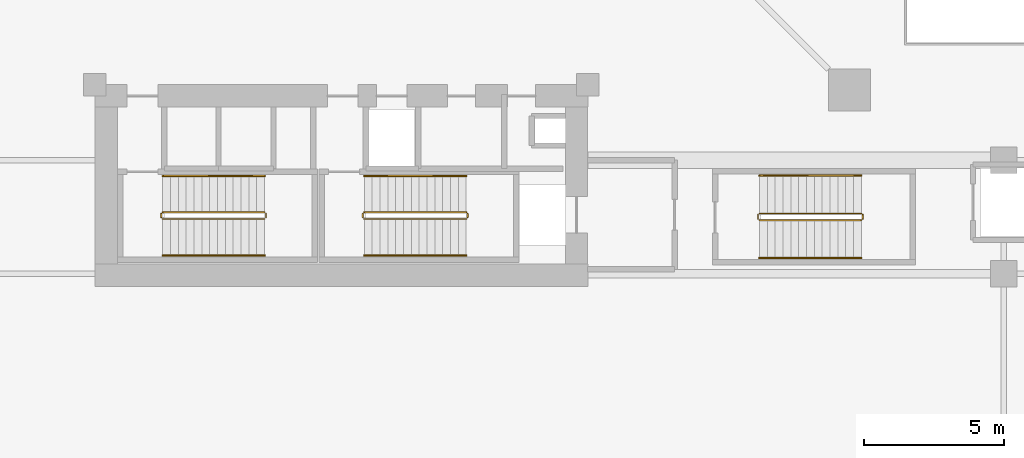
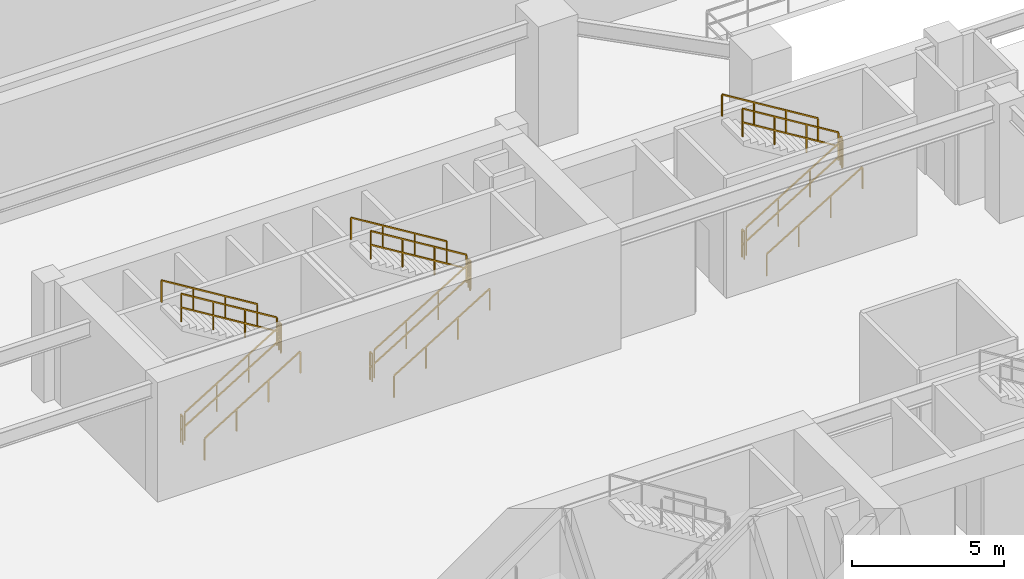
# One storey, part 9 of 10: 18 railings.
"""IFC4 building model written with IfcOpenShell, lengths in metres."""

from ifc_helpers import new_model, si_unit, direction, frame, origin, origin_2d, place, context, subcontext, project, spatial, rectangle, extrude, material, type_object, element, save


model = new_model("IFC4")

# Units and contexts
model_context = context("Model", 3, precision=1e-05, world=origin(), true_north=direction((0.0, 1.0)))
body_context = subcontext(model_context, "Body", "Model", "MODEL_VIEW")
ifc_project = project(units=[si_unit("LENGTHUNIT", "METRE"), si_unit("AREAUNIT", "SQUARE_METRE"), si_unit("VOLUMEUNIT", "CUBIC_METRE"), si_unit("PLANEANGLEUNIT", "RADIAN"), si_unit("MASSUNIT", "GRAM", prefix="KILO"), si_unit("THERMODYNAMICTEMPERATUREUNIT", "KELVIN"), si_unit("POWERUNIT", "WATT")], contexts=[model_context])

# Site, building, storey
site_placement = place(None, origin())
site = spatial("IfcSite", under=ifc_project, at=site_placement, CompositionType="ELEMENT")
building_placement = place(site_placement, origin())
building = spatial("IfcBuilding", under=site, at=building_placement, Name="Qiaomeng Ring Towers", CompositionType="ELEMENT")
storey_placement = place(building_placement, frame((0.0, 0.0, -4.800048828125)))
storey = spatial("IfcBuildingStorey", under=building, at=storey_placement, Name="B1", CompositionType="ELEMENT", Elevation=-4.800048828125)

# Railings
ifc_material_1 = material(Name="Galvanised steel", Category="steel")
railing_type_1 = type_object("IfcRailingType", Name="ARC-RL-GUARD", PredefinedType="GUARDRAIL", material=ifc_material_1)
railing_1_placement = place(storey_placement, frame((12.6201171875, 31.39990234375, 0.17138671875)))
element("IfcRailing", 1, at=railing_1_placement, inside=storey, type_object=railing_type_1, Name="B1 ST1 stair guard 1", PredefinedType="GUARDRAIL", context=body_context, shape_type="SweptSolid", body=[
    extrude(rectangle(XDim=0.048095703125, YDim=0.048095703125, at=origin_2d()), frame((0.0, 0.0, 1.1259765625), z_axis=(0.852824790078, 0.0, 0.522197163366), x_axis=(0.0, 1.0, 0.0)), (0.0, 0.0, 1.0), 4.26806640625),
    extrude(rectangle(XDim=0.048095703125, YDim=0.048095703125, at=origin_2d()), frame((0.0, 0.0, 0.574951171875), z_axis=(0.852824790078, 0.0, 0.522197163366), x_axis=(0.0, 1.0, 0.0)), (0.0, 0.0, 1.0), 4.26806640625),
    extrude(rectangle(XDim=0.0419921875, YDim=0.0419921875, at=origin_2d()), origin(), (0.0, 0.0, 1.0), 1.101806640625),
    extrude(rectangle(XDim=0.0419921875, YDim=0.0419921875, at=origin_2d()), frame((1.21337890625, 0.0, 0.742919921875)), (0.0, 0.0, 1.0), 1.101806640625),
    extrude(rectangle(XDim=0.0419921875, YDim=0.0419921875, at=origin_2d()), frame((2.426513671875, 0.0, 1.48583984375)), (0.0, 0.0, 1.0), 1.101806640625),
    extrude(rectangle(XDim=0.0419921875, YDim=0.0419921875, at=origin_2d()), frame((3.639892578125, 0.0, 2.228759765625)), (0.0, 0.0, 1.0), 1.101806640625),
])
railing_2_placement = place(storey_placement, frame((16.31005859375, 31.449951171875, 2.400146484375)))
element("IfcRailing", 2, at=railing_2_placement, inside=storey, type_object=railing_type_1, Name="B1 ST1 stair guard 2", PredefinedType="GUARDRAIL", context=body_context, shape_type="SweptSolid", body=[
    extrude(rectangle(XDim=0.048095703125, YDim=0.048095703125, at=origin_2d()), frame((0.0, 0.0, 1.1259765625), z_axis=(0.0, 1.0, 0.0), x_axis=(-1.0, 0.0, 0.0)), (0.0, 0.0, 1.0), 0.14013671875),
    extrude(rectangle(XDim=0.048095703125, YDim=0.048095703125, at=origin_2d()), frame((0.0, 0.0, 0.574951171875), z_axis=(0.0, 1.0, 0.0), x_axis=(-1.0, 0.0, 0.0)), (0.0, 0.0, 1.0), 0.14013671875),
    extrude(rectangle(XDim=0.0419921875, YDim=0.0419921875, at=origin_2d()), origin(), (0.0, 0.0, 1.0), 1.101806640625),
    extrude(rectangle(XDim=0.0419921875, YDim=0.0419921875, at=origin_2d()), frame((0.0, 0.14013671875, 0.0)), (0.0, 0.0, 1.0), 1.101806640625),
])
railing_3_placement = place(storey_placement, frame((16.260009765625, 31.639892578125, 2.571533203125)))
element("IfcRailing", 3, at=railing_3_placement, inside=storey, type_object=railing_type_1, Name="B1 ST1 stair guard 3", PredefinedType="GUARDRAIL", context=body_context, shape_type="SweptSolid", body=[
    extrude(rectangle(XDim=0.048095703125, YDim=0.048095703125, at=origin_2d()), frame((0.0, 0.0, 1.1259765625), z_axis=(-0.852850264322, 0.0, 0.5221555579), x_axis=(0.0, -1.0, 0.0)), (0.0, 0.0, 1.0), 4.267822265625),
    extrude(rectangle(XDim=0.048095703125, YDim=0.048095703125, at=origin_2d()), frame((0.0, 0.0, 0.574951171875), z_axis=(-0.852850264322, 0.0, 0.5221555579), x_axis=(0.0, -1.0, 0.0)), (0.0, 0.0, 1.0), 4.267822265625),
    extrude(rectangle(XDim=0.0419921875, YDim=0.0419921875, at=origin_2d()), origin(), (0.0, 0.0, 1.0), 1.101806640625),
    extrude(rectangle(XDim=0.0419921875, YDim=0.0419921875, at=origin_2d()), frame((-1.21337890625, 0.0, 0.742919921875)), (0.0, 0.0, 1.0), 1.101806640625),
    extrude(rectangle(XDim=0.0419921875, YDim=0.0419921875, at=origin_2d()), frame((-2.426513671875, 0.0, 1.485595703125)), (0.0, 0.0, 1.0), 1.101806640625),
    extrude(rectangle(XDim=0.0419921875, YDim=0.0419921875, at=origin_2d()), frame((-3.639892578125, 0.0, 2.228515625)), (0.0, 0.0, 1.0), 1.101806640625),
])
railing_4_placement = place(storey_placement, frame((12.570068359375, 31.449951171875, 0.0)))
element("IfcRailing", 4, at=railing_4_placement, inside=storey, type_object=railing_type_1, Name="B1 ST1 stair guard 4", PredefinedType="GUARDRAIL", context=body_context, shape_type="SweptSolid", body=[
    extrude(rectangle(XDim=0.048095703125, YDim=0.048095703125, at=origin_2d()), frame((0.0, 0.0, 1.1259765625), z_axis=(0.0, 1.0, 0.0), x_axis=(-1.0, 0.0, 0.0)), (0.0, 0.0, 1.0), 0.14013671875),
    extrude(rectangle(XDim=0.048095703125, YDim=0.048095703125, at=origin_2d()), frame((0.0, 0.0, 0.574951171875), z_axis=(0.0, 1.0, 0.0), x_axis=(-1.0, 0.0, 0.0)), (0.0, 0.0, 1.0), 0.14013671875),
    extrude(rectangle(XDim=0.0419921875, YDim=0.0419921875, at=origin_2d()), origin(), (0.0, 0.0, 1.0), 1.101806640625),
    extrude(rectangle(XDim=0.0419921875, YDim=0.0419921875, at=origin_2d()), frame((0.0, 0.14013671875, 0.0)), (0.0, 0.0, 1.0), 1.101806640625),
])
railing_5_placement = place(storey_placement, frame((19.820068359375, 31.39990234375, 0.17138671875)))
element("IfcRailing", 5, at=railing_5_placement, inside=storey, type_object=railing_type_1, Name="B1 ST2 stair guard 1", PredefinedType="GUARDRAIL", context=body_context, shape_type="SweptSolid", body=[
    extrude(rectangle(XDim=0.048095703125, YDim=0.048095703125, at=origin_2d()), frame((0.0, 0.0, 1.1259765625), z_axis=(0.852824790078, 0.0, 0.522197163366), x_axis=(0.0, 1.0, 0.0)), (0.0, 0.0, 1.0), 4.26806640625),
    extrude(rectangle(XDim=0.048095703125, YDim=0.048095703125, at=origin_2d()), frame((0.0, 0.0, 0.574951171875), z_axis=(0.852824790078, 0.0, 0.522197163366), x_axis=(0.0, 1.0, 0.0)), (0.0, 0.0, 1.0), 4.26806640625),
    extrude(rectangle(XDim=0.0419921875, YDim=0.0419921875, at=origin_2d()), origin(), (0.0, 0.0, 1.0), 1.101806640625),
    extrude(rectangle(XDim=0.0419921875, YDim=0.0419921875, at=origin_2d()), frame((1.21337890625, 0.0, 0.742919921875)), (0.0, 0.0, 1.0), 1.101806640625),
    extrude(rectangle(XDim=0.0419921875, YDim=0.0419921875, at=origin_2d()), frame((2.426513671875, 0.0, 1.48583984375)), (0.0, 0.0, 1.0), 1.101806640625),
    extrude(rectangle(XDim=0.0419921875, YDim=0.0419921875, at=origin_2d()), frame((3.639892578125, 0.0, 2.228759765625)), (0.0, 0.0, 1.0), 1.101806640625),
])
railing_6_placement = place(storey_placement, frame((23.510009765625, 31.449951171875, 2.400146484375)))
element("IfcRailing", 6, at=railing_6_placement, inside=storey, type_object=railing_type_1, Name="B1 ST2 stair guard 2", PredefinedType="GUARDRAIL", context=body_context, shape_type="SweptSolid", body=[
    extrude(rectangle(XDim=0.048095703125, YDim=0.048095703125, at=origin_2d()), frame((0.0, 0.0, 1.1259765625), z_axis=(0.0, 1.0, 0.0), x_axis=(-1.0, 0.0, 0.0)), (0.0, 0.0, 1.0), 0.14013671875),
    extrude(rectangle(XDim=0.048095703125, YDim=0.048095703125, at=origin_2d()), frame((0.0, 0.0, 0.574951171875), z_axis=(0.0, 1.0, 0.0), x_axis=(-1.0, 0.0, 0.0)), (0.0, 0.0, 1.0), 0.14013671875),
    extrude(rectangle(XDim=0.0419921875, YDim=0.0419921875, at=origin_2d()), origin(), (0.0, 0.0, 1.0), 1.101806640625),
    extrude(rectangle(XDim=0.0419921875, YDim=0.0419921875, at=origin_2d()), frame((0.0, 0.14013671875, 0.0)), (0.0, 0.0, 1.0), 1.101806640625),
])
railing_7_placement = place(storey_placement, frame((23.4599609375, 31.639892578125, 2.571533203125)))
element("IfcRailing", 7, at=railing_7_placement, inside=storey, type_object=railing_type_1, Name="B1 ST2 stair guard 3", PredefinedType="GUARDRAIL", context=body_context, shape_type="SweptSolid", body=[
    extrude(rectangle(XDim=0.048095703125, YDim=0.048095703125, at=origin_2d()), frame((0.0, 0.0, 1.1259765625), z_axis=(-0.852850264322, 0.0, 0.5221555579), x_axis=(0.0, -1.0, 0.0)), (0.0, 0.0, 1.0), 4.267822265625),
    extrude(rectangle(XDim=0.048095703125, YDim=0.048095703125, at=origin_2d()), frame((0.0, 0.0, 0.574951171875), z_axis=(-0.852850264322, 0.0, 0.5221555579), x_axis=(0.0, -1.0, 0.0)), (0.0, 0.0, 1.0), 4.267822265625),
    extrude(rectangle(XDim=0.0419921875, YDim=0.0419921875, at=origin_2d()), origin(), (0.0, 0.0, 1.0), 1.101806640625),
    extrude(rectangle(XDim=0.0419921875, YDim=0.0419921875, at=origin_2d()), frame((-1.21337890625, 0.0, 0.742919921875)), (0.0, 0.0, 1.0), 1.101806640625),
    extrude(rectangle(XDim=0.0419921875, YDim=0.0419921875, at=origin_2d()), frame((-2.426513671875, 0.0, 1.485595703125)), (0.0, 0.0, 1.0), 1.101806640625),
    extrude(rectangle(XDim=0.0419921875, YDim=0.0419921875, at=origin_2d()), frame((-3.639892578125, 0.0, 2.228515625)), (0.0, 0.0, 1.0), 1.101806640625),
])
railing_8_placement = place(storey_placement, frame((19.77001953125, 31.449951171875, 0.0)))
element("IfcRailing", 8, at=railing_8_placement, inside=storey, type_object=railing_type_1, Name="B1 ST2 stair guard 4", PredefinedType="GUARDRAIL", context=body_context, shape_type="SweptSolid", body=[
    extrude(rectangle(XDim=0.048095703125, YDim=0.048095703125, at=origin_2d()), frame((0.0, 0.0, 1.1259765625), z_axis=(0.0, 1.0, 0.0), x_axis=(-1.0, 0.0, 0.0)), (0.0, 0.0, 1.0), 0.14013671875),
    extrude(rectangle(XDim=0.048095703125, YDim=0.048095703125, at=origin_2d()), frame((0.0, 0.0, 0.574951171875), z_axis=(0.0, 1.0, 0.0), x_axis=(-1.0, 0.0, 0.0)), (0.0, 0.0, 1.0), 0.14013671875),
    extrude(rectangle(XDim=0.0419921875, YDim=0.0419921875, at=origin_2d()), origin(), (0.0, 0.0, 1.0), 1.101806640625),
    extrude(rectangle(XDim=0.0419921875, YDim=0.0419921875, at=origin_2d()), frame((0.0, 0.14013671875, 0.0)), (0.0, 0.0, 1.0), 1.101806640625),
])
railing_9_placement = place(storey_placement, frame((33.929931640625, 31.360107421875, 0.17138671875)))
element("IfcRailing", 9, at=railing_9_placement, inside=storey, type_object=railing_type_1, Name="B1 ST7 stair guard 1", PredefinedType="GUARDRAIL", context=body_context, shape_type="SweptSolid", body=[
    extrude(rectangle(XDim=0.048095703125, YDim=0.048095703125, at=origin_2d()), frame((0.0, 0.0, 1.1259765625), z_axis=(0.852840387347, 0.0, 0.522171689878), x_axis=(0.0, 1.0, 0.0)), (0.0, 0.0, 1.0), 4.268310546875),
    extrude(rectangle(XDim=0.048095703125, YDim=0.048095703125, at=origin_2d()), frame((0.0, 0.0, 0.574951171875), z_axis=(0.852840387347, 0.0, 0.522171689878), x_axis=(0.0, 1.0, 0.0)), (0.0, 0.0, 1.0), 4.268310546875),
    extrude(rectangle(XDim=0.0419921875, YDim=0.0419921875, at=origin_2d()), origin(), (0.0, 0.0, 1.0), 1.101806640625),
    extrude(rectangle(XDim=0.0419921875, YDim=0.0419921875, at=origin_2d()), frame((1.21337890625, 0.0, 0.742919921875)), (0.0, 0.0, 1.0), 1.101806640625),
    extrude(rectangle(XDim=0.0419921875, YDim=0.0419921875, at=origin_2d()), frame((2.4267578125, 0.0, 1.48583984375)), (0.0, 0.0, 1.0), 1.101806640625),
    extrude(rectangle(XDim=0.0419921875, YDim=0.0419921875, at=origin_2d()), frame((3.64013671875, 0.0, 2.228759765625)), (0.0, 0.0, 1.0), 1.101806640625),
])
railing_10_placement = place(storey_placement, frame((37.6201171875, 31.409912109375, 2.400146484375)))
element("IfcRailing", 10, at=railing_10_placement, inside=storey, type_object=railing_type_1, Name="B1 ST7 stair guard 2", PredefinedType="GUARDRAIL", context=body_context, shape_type="SweptSolid", body=[
    extrude(rectangle(XDim=0.048095703125, YDim=0.048095703125, at=origin_2d()), frame((0.0, 0.0, 1.1259765625), z_axis=(0.0, 1.0, 0.0), x_axis=(-1.0, 0.0, 0.0)), (0.0, 0.0, 1.0), 0.14013671875),
    extrude(rectangle(XDim=0.048095703125, YDim=0.048095703125, at=origin_2d()), frame((0.0, 0.0, 0.574951171875), z_axis=(0.0, 1.0, 0.0), x_axis=(-1.0, 0.0, 0.0)), (0.0, 0.0, 1.0), 0.14013671875),
    extrude(rectangle(XDim=0.0419921875, YDim=0.0419921875, at=origin_2d()), origin(), (0.0, 0.0, 1.0), 1.101806640625),
    extrude(rectangle(XDim=0.0419921875, YDim=0.0419921875, at=origin_2d()), frame((0.0, 0.14013671875, 0.0)), (0.0, 0.0, 1.0), 1.101806640625),
])
railing_11_placement = place(storey_placement, frame((37.570068359375, 31.60009765625, 2.571533203125)))
element("IfcRailing", 11, at=railing_11_placement, inside=storey, type_object=railing_type_1, Name="B1 ST7 stair guard 3", PredefinedType="GUARDRAIL", context=body_context, shape_type="SweptSolid", body=[
    extrude(rectangle(XDim=0.048095703125, YDim=0.048095703125, at=origin_2d()), frame((0.0, 0.0, 1.1259765625), z_axis=(-0.852865859571, 0.0, 0.52213008492), x_axis=(0.0, -1.0, 0.0)), (0.0, 0.0, 1.0), 4.26806640625),
    extrude(rectangle(XDim=0.048095703125, YDim=0.048095703125, at=origin_2d()), frame((0.0, 0.0, 0.574951171875), z_axis=(-0.852865859571, 0.0, 0.52213008492), x_axis=(0.0, -1.0, 0.0)), (0.0, 0.0, 1.0), 4.26806640625),
    extrude(rectangle(XDim=0.0419921875, YDim=0.0419921875, at=origin_2d()), origin(), (0.0, 0.0, 1.0), 1.101806640625),
    extrude(rectangle(XDim=0.0419921875, YDim=0.0419921875, at=origin_2d()), frame((-1.21337890625, 0.0, 0.742919921875)), (0.0, 0.0, 1.0), 1.101806640625),
    extrude(rectangle(XDim=0.0419921875, YDim=0.0419921875, at=origin_2d()), frame((-2.4267578125, 0.0, 1.485595703125)), (0.0, 0.0, 1.0), 1.101806640625),
    extrude(rectangle(XDim=0.0419921875, YDim=0.0419921875, at=origin_2d()), frame((-3.64013671875, 0.0, 2.228515625)), (0.0, 0.0, 1.0), 1.101806640625),
])
railing_12_placement = place(storey_placement, frame((33.8798828125, 31.409912109375, 0.0)))
element("IfcRailing", 12, at=railing_12_placement, inside=storey, type_object=railing_type_1, Name="B1 ST7 stair guard 4", PredefinedType="GUARDRAIL", context=body_context, shape_type="SweptSolid", body=[
    extrude(rectangle(XDim=0.048095703125, YDim=0.048095703125, at=origin_2d()), frame((0.0, 0.0, 1.1259765625), z_axis=(0.0, 1.0, 0.0), x_axis=(-1.0, 0.0, 0.0)), (0.0, 0.0, 1.0), 0.14013671875),
    extrude(rectangle(XDim=0.048095703125, YDim=0.048095703125, at=origin_2d()), frame((0.0, 0.0, 0.574951171875), z_axis=(0.0, 1.0, 0.0), x_axis=(-1.0, 0.0, 0.0)), (0.0, 0.0, 1.0), 0.14013671875),
    extrude(rectangle(XDim=0.0419921875, YDim=0.0419921875, at=origin_2d()), origin(), (0.0, 0.0, 1.0), 1.101806640625),
    extrude(rectangle(XDim=0.0419921875, YDim=0.0419921875, at=origin_2d()), frame((0.0, 0.14013671875, 0.0)), (0.0, 0.0, 1.0), 1.101806640625),
])
ifc_material_2 = material(Name="Stainless steel 316", Category="steel")
railing_type_2 = type_object("IfcRailingType", Name="ARC-RL-HAND", PredefinedType="HANDRAIL", material=ifc_material_2)
railing_13_placement = place(storey_placement, frame((12.6201171875, 30.10009765625, 0.17138671875)))
element("IfcRailing", 13, at=railing_13_placement, inside=storey, type_object=railing_type_2, Name="B1 ST1 stair handrail 1", PredefinedType="HANDRAIL", context=body_context, shape_type="SweptSolid", body=[
    extrude(rectangle(XDim=0.048095703125, YDim=0.048095703125, at=origin_2d()), frame((0.0, 0.0, 0.8759765625), z_axis=(0.852824790078, 0.0, 0.522197163366), x_axis=(0.0, 1.0, 0.0)), (0.0, 0.0, 1.0), 4.26806640625),
    extrude(rectangle(XDim=0.0419921875, YDim=0.0419921875, at=origin_2d()), origin(), (0.0, 0.0, 1.0), 0.851806640625),
    extrude(rectangle(XDim=0.0419921875, YDim=0.0419921875, at=origin_2d()), frame((1.21337890625, 0.0, 0.742919921875)), (0.0, 0.0, 1.0), 0.851806640625),
    extrude(rectangle(XDim=0.0419921875, YDim=0.0419921875, at=origin_2d()), frame((2.426513671875, 0.0, 1.48583984375)), (0.0, 0.0, 1.0), 0.851806640625),
    extrude(rectangle(XDim=0.0419921875, YDim=0.0419921875, at=origin_2d()), frame((3.639892578125, 0.0, 2.228759765625)), (0.0, 0.0, 1.0), 0.851806640625),
])
railing_14_placement = place(storey_placement, frame((16.260009765625, 32.93994140625, 2.571533203125)))
element("IfcRailing", 14, at=railing_14_placement, inside=storey, type_object=railing_type_2, Name="B1 ST1 stair handrail 2", PredefinedType="HANDRAIL", context=body_context, shape_type="SweptSolid", body=[
    extrude(rectangle(XDim=0.048095703125, YDim=0.048095703125, at=origin_2d()), frame((0.0, 0.0, 0.8759765625), z_axis=(-0.852850264322, 0.0, 0.5221555579), x_axis=(0.0, -1.0, 0.0)), (0.0, 0.0, 1.0), 4.267822265625),
    extrude(rectangle(XDim=0.0419921875, YDim=0.0419921875, at=origin_2d()), origin(), (0.0, 0.0, 1.0), 0.851806640625),
    extrude(rectangle(XDim=0.0419921875, YDim=0.0419921875, at=origin_2d()), frame((-1.21337890625, 0.0, 0.742919921875)), (0.0, 0.0, 1.0), 0.851806640625),
    extrude(rectangle(XDim=0.0419921875, YDim=0.0419921875, at=origin_2d()), frame((-2.426513671875, 0.0, 1.485595703125)), (0.0, 0.0, 1.0), 0.851806640625),
    extrude(rectangle(XDim=0.0419921875, YDim=0.0419921875, at=origin_2d()), frame((-3.639892578125, 0.0, 2.228515625)), (0.0, 0.0, 1.0), 0.851806640625),
])
railing_15_placement = place(storey_placement, frame((19.820068359375, 30.10009765625, 0.17138671875)))
element("IfcRailing", 15, at=railing_15_placement, inside=storey, type_object=railing_type_2, Name="B1 ST2 stair handrail 1", PredefinedType="HANDRAIL", context=body_context, shape_type="SweptSolid", body=[
    extrude(rectangle(XDim=0.048095703125, YDim=0.048095703125, at=origin_2d()), frame((0.0, 0.0, 0.8759765625), z_axis=(0.852824790078, 0.0, 0.522197163366), x_axis=(0.0, 1.0, 0.0)), (0.0, 0.0, 1.0), 4.26806640625),
    extrude(rectangle(XDim=0.0419921875, YDim=0.0419921875, at=origin_2d()), origin(), (0.0, 0.0, 1.0), 0.851806640625),
    extrude(rectangle(XDim=0.0419921875, YDim=0.0419921875, at=origin_2d()), frame((1.21337890625, 0.0, 0.742919921875)), (0.0, 0.0, 1.0), 0.851806640625),
    extrude(rectangle(XDim=0.0419921875, YDim=0.0419921875, at=origin_2d()), frame((2.426513671875, 0.0, 1.48583984375)), (0.0, 0.0, 1.0), 0.851806640625),
    extrude(rectangle(XDim=0.0419921875, YDim=0.0419921875, at=origin_2d()), frame((3.639892578125, 0.0, 2.228759765625)), (0.0, 0.0, 1.0), 0.851806640625),
])
railing_16_placement = place(storey_placement, frame((23.4599609375, 32.93994140625, 2.571533203125)))
element("IfcRailing", 16, at=railing_16_placement, inside=storey, type_object=railing_type_2, Name="B1 ST2 stair handrail 2", PredefinedType="HANDRAIL", context=body_context, shape_type="SweptSolid", body=[
    extrude(rectangle(XDim=0.048095703125, YDim=0.048095703125, at=origin_2d()), frame((0.0, 0.0, 0.8759765625), z_axis=(-0.852850264322, 0.0, 0.5221555579), x_axis=(0.0, -1.0, 0.0)), (0.0, 0.0, 1.0), 4.267822265625),
    extrude(rectangle(XDim=0.0419921875, YDim=0.0419921875, at=origin_2d()), origin(), (0.0, 0.0, 1.0), 0.851806640625),
    extrude(rectangle(XDim=0.0419921875, YDim=0.0419921875, at=origin_2d()), frame((-1.21337890625, 0.0, 0.742919921875)), (0.0, 0.0, 1.0), 0.851806640625),
    extrude(rectangle(XDim=0.0419921875, YDim=0.0419921875, at=origin_2d()), frame((-2.426513671875, 0.0, 1.485595703125)), (0.0, 0.0, 1.0), 0.851806640625),
    extrude(rectangle(XDim=0.0419921875, YDim=0.0419921875, at=origin_2d()), frame((-3.639892578125, 0.0, 2.228515625)), (0.0, 0.0, 1.0), 0.851806640625),
])
railing_17_placement = place(storey_placement, frame((33.929931640625, 30.010009765625, 0.17138671875)))
element("IfcRailing", 17, at=railing_17_placement, inside=storey, type_object=railing_type_2, Name="B1 ST7 stair handrail 1", PredefinedType="HANDRAIL", context=body_context, shape_type="SweptSolid", body=[
    extrude(rectangle(XDim=0.048095703125, YDim=0.048095703125, at=origin_2d()), frame((0.0, 0.0, 0.8759765625), z_axis=(0.852840387347, 0.0, 0.522171689878), x_axis=(0.0, 1.0, 0.0)), (0.0, 0.0, 1.0), 4.268310546875),
    extrude(rectangle(XDim=0.0419921875, YDim=0.0419921875, at=origin_2d()), origin(), (0.0, 0.0, 1.0), 0.851806640625),
    extrude(rectangle(XDim=0.0419921875, YDim=0.0419921875, at=origin_2d()), frame((1.21337890625, 0.0, 0.742919921875)), (0.0, 0.0, 1.0), 0.851806640625),
    extrude(rectangle(XDim=0.0419921875, YDim=0.0419921875, at=origin_2d()), frame((2.4267578125, 0.0, 1.48583984375)), (0.0, 0.0, 1.0), 0.851806640625),
    extrude(rectangle(XDim=0.0419921875, YDim=0.0419921875, at=origin_2d()), frame((3.64013671875, 0.0, 2.228759765625)), (0.0, 0.0, 1.0), 0.851806640625),
])
railing_18_placement = place(storey_placement, frame((37.570068359375, 32.949951171875, 2.571533203125)))
element("IfcRailing", 18, at=railing_18_placement, inside=storey, type_object=railing_type_2, Name="B1 ST7 stair handrail 2", PredefinedType="HANDRAIL", context=body_context, shape_type="SweptSolid", body=[
    extrude(rectangle(XDim=0.048095703125, YDim=0.048095703125, at=origin_2d()), frame((0.0, 0.0, 0.8759765625), z_axis=(-0.852865859571, 0.0, 0.52213008492), x_axis=(0.0, -1.0, 0.0)), (0.0, 0.0, 1.0), 4.26806640625),
    extrude(rectangle(XDim=0.0419921875, YDim=0.0419921875, at=origin_2d()), origin(), (0.0, 0.0, 1.0), 0.851806640625),
    extrude(rectangle(XDim=0.0419921875, YDim=0.0419921875, at=origin_2d()), frame((-1.21337890625, 0.0, 0.742919921875)), (0.0, 0.0, 1.0), 0.851806640625),
    extrude(rectangle(XDim=0.0419921875, YDim=0.0419921875, at=origin_2d()), frame((-2.4267578125, 0.0, 1.485595703125)), (0.0, 0.0, 1.0), 0.851806640625),
    extrude(rectangle(XDim=0.0419921875, YDim=0.0419921875, at=origin_2d()), frame((-3.64013671875, 0.0, 2.228515625)), (0.0, 0.0, 1.0), 0.851806640625),
])

save(model, "model.ifc")
